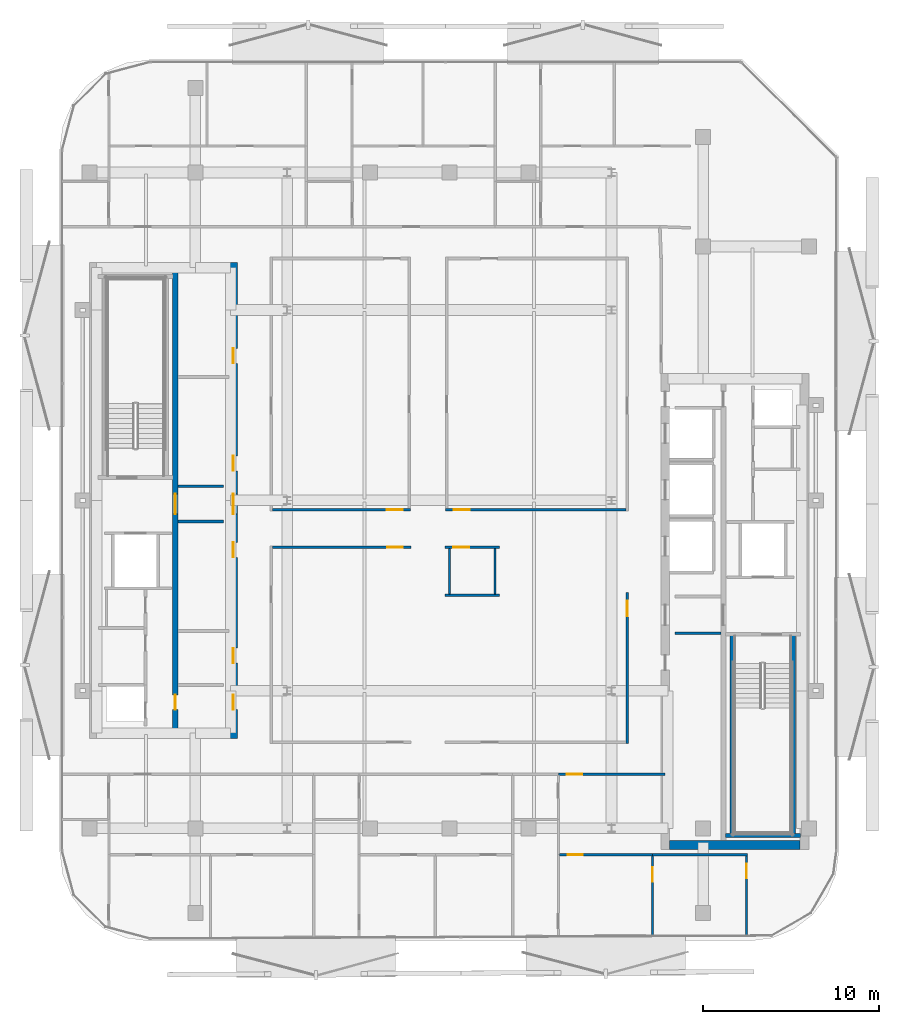
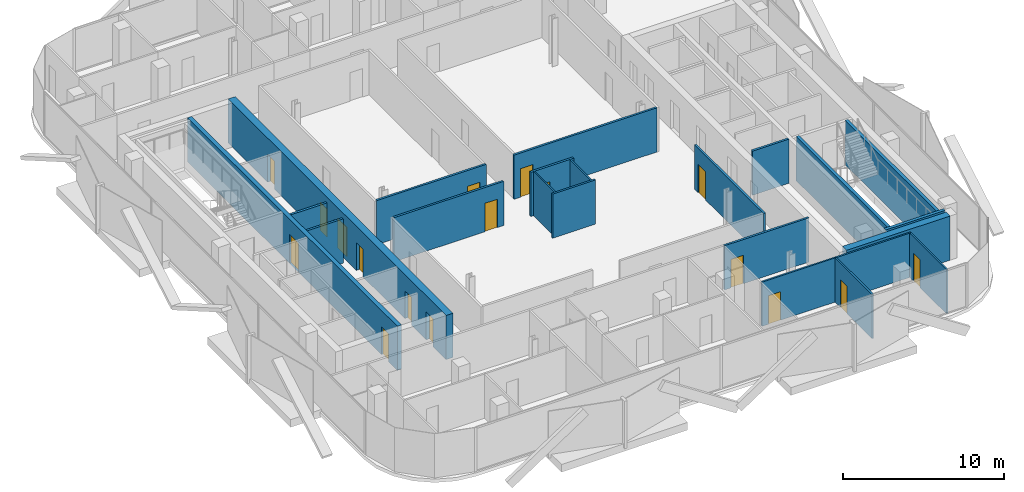
# One storey, part 4 of 15: 22 walls, 17 doors, 17 openings.
"""IFC4 building model written with IfcOpenShell, lengths in metres."""

from ifc_helpers import new_model, si_unit, direction, frame, frame_2d, origin, place, context, subcontext, project, spatial, rectangle, extrude, material, layer, layer_set, type_object, element, fill, save


model = new_model("IFC4")

# Units and contexts
model_context = context("Model", 3, precision=1e-05, world=origin(), true_north=direction((0.0, 1.0)))
body_context = subcontext(model_context, "Body", "Model", "MODEL_VIEW")
ifc_project = project(units=[si_unit("LENGTHUNIT", "METRE"), si_unit("AREAUNIT", "SQUARE_METRE"), si_unit("VOLUMEUNIT", "CUBIC_METRE"), si_unit("PLANEANGLEUNIT", "RADIAN"), si_unit("MASSUNIT", "GRAM", prefix="KILO")], contexts=[model_context])

# Site, building, storey
site_placement = place(None, origin())
site = spatial("IfcSite", under=ifc_project, at=site_placement, CompositionType="ELEMENT")
building_placement = place(site_placement, origin())
building = spatial("IfcBuilding", under=site, at=building_placement, Name="Khairoan Windgate Tower", CompositionType="ELEMENT")
storey_placement = place(building_placement, frame((0.0, 0.0, 244.0)))
storey = spatial("IfcBuildingStorey", under=building, at=storey_placement, Name="L57", CompositionType="ELEMENT", Elevation=244.0)

# Walls
ifc_material_1 = material(Name="Moisture-Resistant Gypsum Partition", Category="gypsum")
ifc_layer_1 = layer(ifc_material_1, 0.10009765625, Name="Moisture-Resistant Gypsum Partition")
ifc_layer_set_1 = layer_set([ifc_layer_1], Name="Moisture-Resistant Gypsum Partition")
wall_type_1 = type_object("IfcWallType", Name="Bathroom Wet-Area Partition Wall", PredefinedType="PARTITIONING", material=ifc_layer_set_1)
for number, where, z_axis, x_axis, name in (
    (1, (2.60009765625, -2.739990234375, 0.0), (0.0, 0.0, 1.0), (0.0, -1.0, 0.0), "L57 Wet Room Side Wall 100"),
    (2, (0.010009765625, -5.31005859375, 0.0), (0.0, 0.0, 1.0), (0.0, 1.0, 0.0), "L57 Wet Room Side Wall 101"),
):
    element("IfcWall", number, at=place(storey_placement, frame(where, z_axis=z_axis, x_axis=x_axis)), inside=storey, type_object=wall_type_1, Name=name, PredefinedType="PARTITIONING", context=body_context, shape_type="SweptSolid", body=[
        extrude(rectangle(XDim=2.570068359375, YDim=0.10009765625, at=frame_2d((1.28515625, 0.0))), origin(), (0.0, 0.0, 1.0), 3.340087890625),
    ])
ifc_material_2 = material(Name="Concrete C40/50", Category="concrete")
ifc_layer_2 = layer(ifc_material_2, 0.159912109375, Name="Concrete C40/50")
ifc_layer_set_2 = layer_set([ifc_layer_2], Name="Concrete C40/50")
wall_type_2 = type_object("IfcWallType", Name="Core and Hoistway Enclosure Wall", PredefinedType="STANDARD", material=ifc_layer_set_2)
for number, where, z_axis, x_axis, name in (
    (3, (-15.39990234375, 0.800048828125, 0.0), (0.0, 0.0, 1.0), (1.0, 0.0, 0.0), "L57 Core Shaft Wall SW-WV1-L57"),
    (4, (-15.39990234375, -1.199951171875, 0.0), (0.0, 0.0, 1.0), (1.0, 0.0, 0.0), "L57 Core Shaft Wall SW-WV2-L57"),
    (5, (12.800048828125, -7.5400390625, 0.0), (0.0, 0.0, 1.0), (1.0, 0.0, 0.0), "L57 Core Shaft Wall SW-EV2-L57"),
):
    element("IfcWall", number, at=place(storey_placement, frame(where, z_axis=z_axis, x_axis=x_axis)), inside=storey, type_object=wall_type_2, Name=name, PredefinedType="STANDARD", context=body_context, shape_type="SweptSolid", body=[
        extrude(rectangle(XDim=2.599853515625, YDim=0.159912109375, at=frame_2d((1.2998046875, 0.0))), origin(), (0.0, 0.0, 1.0), 3.340087890625),
    ])
ifc_material_3 = material(Name="Acoustic Fire-Rated Gypsum Partition", Category="gypsum")
ifc_layer_3 = layer(ifc_material_3, 0.139892578125, Name="Acoustic Fire-Rated Gypsum Partition")
ifc_layer_set_3 = layer_set([ifc_layer_3], Name="Acoustic Fire-Rated Gypsum Partition")
wall_type_3 = type_object("IfcWallType", Name="Inter-Tenancy Compartment Wall", PredefinedType="PARTITIONING", material=ifc_layer_set_3)
wall_1_placement = place(storey_placement, frame((-0.22998046875, -5.3798828125, 0.0), z_axis=(0.0, 0.0, 1.0), x_axis=(1.0, 0.0, 0.0)))
element("IfcWall", 6, at=wall_1_placement, inside=storey, type_object=wall_type_3, Name="L57 Interior Partition 097", PredefinedType="PARTITIONING", context=body_context, shape_type="SweptSolid", body=[
    extrude(rectangle(XDim=3.070068359375, YDim=0.139892578125, at=frame_2d((1.53515625, 0.0))), origin(), (0.0, 0.0, 1.0), 3.340087890625),
])

# Wall, opening, door
ifc_material_4 = material(Name="Gypsum Stud Partition", Category="gypsum")
ifc_layer_4 = layer(ifc_material_4, 0.1201171875, Name="Gypsum Stud Partition")
ifc_layer_set_4 = layer_set([ifc_layer_4], Name="Gypsum Stud Partition")
wall_type_4 = type_object("IfcWallType", Name="Internal Room Partition Wall", PredefinedType="PARTITIONING", material=ifc_layer_set_4)
wall_2_placement = place(storey_placement, frame((6.25, -20.10009765625, 0.0), z_axis=(0.0, 0.0, 1.0), x_axis=(1.0, 0.0, 0.0)))
wall_2 = element("IfcWall", 7, at=wall_2_placement, inside=storey, type_object=wall_type_4, Name="L57 Interior Partition 093", PredefinedType="PARTITIONING", context=body_context, shape_type="SweptSolid", body=[
    extrude(rectangle(XDim=5.27490234375, YDim=0.1201171875, at=frame_2d((2.637451171875, 0.0))), origin(), (0.0, 0.0, 1.0), 3.340087890625),
])
opening_1_placement = place(wall_2_placement, frame((0.4599609375, 0.0, 0.0)))
opening_1 = element("IfcOpeningElement", 8, at=opening_1_placement, cuts=wall_2, Name="Opening ID-RM", PredefinedType="OPENING", context=body_context, shape_type="SweptSolid", body=[
    extrude(rectangle(XDim=0.860107421875, YDim=2.14990234375, at=frame_2d((0.43017578125, 1.074951171875))), frame((0.0, 0.070068359375, 0.0), z_axis=(0.0, -1.0, 0.0), x_axis=(1.0, 0.0, 0.0)), (0.0, 0.0, 1.0), 0.14013671875),
])
ifc_material_5 = material(Name="Teak Veneer Timber Leaf", Category="wood")
door_type_1 = type_object("IfcDoorType", Name="Internal Bedroom and Office Door ID-RM 860x2150", OperationType="NOTDEFINED", PredefinedType="DOOR", material=ifc_material_5)
door_1_placement = place(opening_1_placement, origin())
door_1 = element("IfcDoor", 9, at=door_1_placement, inside=storey, type_object=door_type_1, Name="L57 L57-60-L57-62 Door", OperationType="SINGLE_SWING_LEFT", OverallHeight=2.14990234375, OverallWidth=0.860107421875, PredefinedType="DOOR", context=body_context, shape_type="SweptSolid", body=[
    extrude(rectangle(XDim=0.860107421875, YDim=2.14990234375, at=frame_2d((0.43017578125, 1.074951171875))), frame((0.0, 0.02490234375, 0.0), z_axis=(0.0, -1.0, 0.0), x_axis=(1.0, 0.0, 0.0)), (0.0, 0.0, 1.0), 0.050048828125),
])
fill(opening_1, door_1)

# Wall
wall_3_placement = place(storey_placement, frame((11.52490234375, -20.10009765625, 0.0), z_axis=(0.0, 0.0, 1.0), x_axis=(1.0, 0.0, 0.0)))
element("IfcWall", 10, at=wall_3_placement, inside=storey, type_object=wall_type_4, Name="L57 Interior Partition 094", PredefinedType="PARTITIONING", context=body_context, shape_type="SweptSolid", body=[
    extrude(rectangle(XDim=5.39501953125, YDim=0.1201171875, at=frame_2d((2.697509765625, 0.0))), origin(), (0.0, 0.0, 1.0), 3.340087890625),
])

# Wall, opening, door
wall_4_placement = place(storey_placement, frame((16.860107421875, -24.691650390625, 0.0), z_axis=(0.0, 0.0, 1.0), x_axis=(0.0, 1.0, 0.0)))
wall_4 = element("IfcWall", 11, at=wall_4_placement, inside=storey, type_object=wall_type_4, Name="L57 Interior Partition 095", PredefinedType="PARTITIONING", context=body_context, shape_type="SweptSolid", body=[
    extrude(rectangle(XDim=4.53173828125, YDim=0.1201171875, at=frame_2d((2.265869140625, 0.0))), origin(), (0.0, 0.0, 1.0), 3.340087890625),
])
opening_2_placement = place(wall_4_placement, frame((3.271728515625, 0.0, 0.0)))
opening_2 = element("IfcOpeningElement", 12, at=opening_2_placement, cuts=wall_4, Name="Opening ID-BTH", PredefinedType="OPENING", context=body_context, shape_type="SweptSolid", body=[
    extrude(rectangle(XDim=0.800048828125, YDim=2.10009765625, at=frame_2d((0.39990234375, 1.050048828125))), frame((0.0, 0.070068359375, 0.0), z_axis=(0.0, -1.0, 0.0), x_axis=(1.0, 0.0, 0.0)), (0.0, 0.0, 1.0), 0.14013671875),
])
ifc_material_6 = material(Name="Teak Veneer Timber Leaf", Category="wood")
door_type_2 = type_object("IfcDoorType", Name="Internal Bathroom Door ID-BTH 800x2100", OperationType="NOTDEFINED", PredefinedType="DOOR", material=ifc_material_6)
door_2_placement = place(opening_2_placement, origin())
door_2 = element("IfcDoor", 13, at=door_2_placement, inside=storey, type_object=door_type_2, Name="L57 L57-61-L57-63 Door", OperationType="SINGLE_SWING_RIGHT", OverallHeight=2.10009765625, OverallWidth=0.800048828125, PredefinedType="DOOR", context=body_context, shape_type="SweptSolid", body=[
    extrude(rectangle(XDim=0.800048828125, YDim=2.10009765625, at=frame_2d((0.39990234375, 1.050048828125))), frame((0.0, 0.02490234375, 0.0), z_axis=(0.0, -1.0, 0.0), x_axis=(1.0, 0.0, 0.0)), (0.0, 0.0, 1.0), 0.050048828125),
])
fill(opening_2, door_2)

wall_5_placement = place(storey_placement, frame((11.52490234375, -24.71728515625, 0.0), z_axis=(0.0, 0.0, 1.0), x_axis=(0.0, 1.0, 0.0)))
wall_5 = element("IfcWall", 14, at=wall_5_placement, inside=storey, type_object=wall_type_4, Name="L57 Interior Partition 096", PredefinedType="PARTITIONING", context=body_context, shape_type="SweptSolid", body=[
    extrude(rectangle(XDim=4.557373046875, YDim=0.1201171875, at=frame_2d((2.27880859375, 0.0))), origin(), (0.0, 0.0, 1.0), 3.340087890625),
])
opening_3_placement = place(wall_5_placement, frame((3.0947265625, 0.0, 0.0)))
opening_3 = element("IfcOpeningElement", 15, at=opening_3_placement, cuts=wall_5, Name="Opening ID-BTH", PredefinedType="OPENING", context=body_context, shape_type="SweptSolid", body=[
    extrude(rectangle(XDim=0.800048828125, YDim=2.10009765625, at=frame_2d((0.39990234375, 1.050048828125))), frame((0.0, 0.070068359375, 0.0), z_axis=(0.0, -1.0, 0.0), x_axis=(1.0, 0.0, 0.0)), (0.0, 0.0, 1.0), 0.14013671875),
])
door_3_placement = place(opening_3_placement, origin())
door_3 = element("IfcDoor", 16, at=door_3_placement, inside=storey, type_object=door_type_2, Name="L57 L57-62-L57-63 Door", OperationType="SINGLE_SWING_LEFT", OverallHeight=2.10009765625, OverallWidth=0.800048828125, PredefinedType="DOOR", context=body_context, shape_type="SweptSolid", body=[
    extrude(rectangle(XDim=0.800048828125, YDim=2.10009765625, at=frame_2d((0.39990234375, 1.050048828125))), frame((0.0, 0.02490234375, 0.0), z_axis=(0.0, -1.0, 0.0), x_axis=(1.0, 0.0, 0.0)), (0.0, 0.0, 1.0), 0.050048828125),
])
fill(opening_3, door_3)

ifc_material_7 = material(Name="Acoustic Fire-Rated Gypsum Partition", Category="gypsum")
ifc_layer_5 = layer(ifc_material_7, 0.14990234375, Name="Acoustic Fire-Rated Gypsum Partition")
ifc_layer_set_5 = layer_set([ifc_layer_5], Name="Acoustic Fire-Rated Gypsum Partition")
wall_type_5 = type_object("IfcWallType", Name="Rated Corridor Partition Wall", PredefinedType="PARTITIONING", material=ifc_layer_set_5)
wall_6_placement = place(storey_placement, frame((10.10009765625, -13.794921875, 0.0), z_axis=(0.0, 0.0, 1.0), x_axis=(0.0, 1.0, 0.0)))
wall_6 = element("IfcWall", 17, at=wall_6_placement, inside=storey, type_object=wall_type_5, Name="L57 Interior Partition 017", PredefinedType="PARTITIONING", context=body_context, shape_type="SweptSolid", body=[
    extrude(rectangle(XDim=8.574951171875, YDim=0.14990234375, at=frame_2d((4.28759765625, 0.0))), origin(), (0.0, 0.0, 1.0), 3.340087890625),
])
opening_4_placement = place(wall_6_placement, frame((7.215087890625, 0.0, 0.0)))
opening_4 = element("IfcOpeningElement", 18, at=opening_4_placement, cuts=wall_6, Name="Opening FD-ENT", PredefinedType="OPENING", context=body_context, shape_type="SweptSolid", body=[
    extrude(rectangle(XDim=0.89990234375, YDim=2.14990234375, at=frame_2d((0.449951171875, 1.074951171875))), frame((0.0, 0.0849609375, 0.0), z_axis=(0.0, -1.0, 0.0), x_axis=(1.0, 0.0, 0.0)), (0.0, 0.0, 1.0), 0.169921875),
])
ifc_material_8 = material(Name="Timber Fire-Rated Core", Category="wood")
door_type_3 = type_object("IfcDoorType", Name="Unit and Office Fire Entrance Door FD-ENT 900x2150", OperationType="NOTDEFINED", PredefinedType="DOOR", material=ifc_material_8)
door_4_placement = place(opening_4_placement, origin())
door_4 = element("IfcDoor", 19, at=door_4_placement, inside=storey, type_object=door_type_3, Name="L57 L57-28-L57-69 Door", OperationType="SINGLE_SWING_LEFT", OverallHeight=2.14990234375, OverallWidth=0.89990234375, PredefinedType="DOOR", context=body_context, shape_type="SweptSolid", body=[
    extrude(rectangle(XDim=0.89990234375, YDim=2.14990234375, at=frame_2d((0.449951171875, 1.074951171875))), frame((0.0, 0.02490234375, 0.0), z_axis=(0.0, -1.0, 0.0), x_axis=(1.0, 0.0, 0.0)), (0.0, 0.0, 1.0), 0.050048828125),
])
fill(opening_4, door_4)

wall_7_placement = place(storey_placement, frame((-10.02490234375, -0.534912109375, 0.0), z_axis=(0.0, 0.0, 1.0), x_axis=(1.0, 0.0, 0.0)))
wall_7 = element("IfcWall", 20, at=wall_7_placement, inside=storey, type_object=wall_type_5, Name="L57 Interior Partition 018", PredefinedType="PARTITIONING", context=body_context, shape_type="SweptSolid", body=[
    extrude(rectangle(XDim=7.8349609375, YDim=0.14990234375, at=frame_2d((3.91748046875, 0.0))), origin(), (0.0, 0.0, 1.0), 3.340087890625),
])
opening_5_placement = place(wall_7_placement, frame((6.47509765625, 0.0, 0.0)))
opening_5 = element("IfcOpeningElement", 21, at=opening_5_placement, cuts=wall_7, Name="Opening FD-ENT", PredefinedType="OPENING", context=body_context, shape_type="SweptSolid", body=[
    extrude(rectangle(XDim=0.89990234375, YDim=2.14990234375, at=frame_2d((0.449951171875, 1.074951171875))), frame((0.0, 0.0849609375, 0.0), z_axis=(0.0, -1.0, 0.0), x_axis=(1.0, 0.0, 0.0)), (0.0, 0.0, 1.0), 0.169921875),
])
door_5_placement = place(opening_5_placement, origin())
door_5 = element("IfcDoor", 22, at=door_5_placement, inside=storey, type_object=door_type_3, Name="L57 L57-29-L57-65 Door", OperationType="SINGLE_SWING_RIGHT", OverallHeight=2.14990234375, OverallWidth=0.89990234375, PredefinedType="DOOR", context=body_context, shape_type="SweptSolid", body=[
    extrude(rectangle(XDim=0.89990234375, YDim=2.14990234375, at=frame_2d((0.449951171875, 1.074951171875))), frame((0.0, 0.02490234375, 0.0), z_axis=(0.0, -1.0, 0.0), x_axis=(1.0, 0.0, 0.0)), (0.0, 0.0, 1.0), 0.050048828125),
])
fill(opening_5, door_5)

wall_8_placement = place(storey_placement, frame((-10.02490234375, -2.6650390625, 0.0), z_axis=(0.0, 0.0, 1.0), x_axis=(1.0, 0.0, 0.0)))
wall_8 = element("IfcWall", 23, at=wall_8_placement, inside=storey, type_object=wall_type_5, Name="L57 Interior Partition 019", PredefinedType="PARTITIONING", context=body_context, shape_type="SweptSolid", body=[
    extrude(rectangle(XDim=7.85498046875, YDim=0.14990234375, at=frame_2d((3.927490234375, 0.0))), origin(), (0.0, 0.0, 1.0), 3.340087890625),
])
opening_6_placement = place(wall_8_placement, frame((6.4951171875, 0.0, 0.0)))
opening_6 = element("IfcOpeningElement", 24, at=opening_6_placement, cuts=wall_8, Name="Opening FD-ENT", PredefinedType="OPENING", context=body_context, shape_type="SweptSolid", body=[
    extrude(rectangle(XDim=0.89990234375, YDim=2.14990234375, at=frame_2d((0.449951171875, 1.074951171875))), frame((0.0, 0.0849609375, 0.0), z_axis=(0.0, -1.0, 0.0), x_axis=(1.0, 0.0, 0.0)), (0.0, 0.0, 1.0), 0.169921875),
])
door_6_placement = place(opening_6_placement, origin())
door_6 = element("IfcDoor", 25, at=door_6_placement, inside=storey, type_object=door_type_3, Name="L57 L57-29-L57-66 Door", OperationType="SINGLE_SWING_LEFT", OverallHeight=2.14990234375, OverallWidth=0.89990234375, PredefinedType="DOOR", context=body_context, shape_type="SweptSolid", body=[
    extrude(rectangle(XDim=0.89990234375, YDim=2.14990234375, at=frame_2d((0.449951171875, 1.074951171875))), frame((0.0, 0.02490234375, 0.0), z_axis=(0.0, -1.0, 0.0), x_axis=(1.0, 0.0, 0.0)), (0.0, 0.0, 1.0), 0.050048828125),
])
fill(opening_6, door_6)

wall_9_placement = place(storey_placement, frame((-0.2099609375, -0.534912109375, 0.0), z_axis=(0.0, 0.0, 1.0), x_axis=(1.0, 0.0, 0.0)))
wall_9 = element("IfcWall", 26, at=wall_9_placement, inside=storey, type_object=wall_type_5, Name="L57 Interior Partition 020", PredefinedType="PARTITIONING", context=body_context, shape_type="SweptSolid", body=[
    extrude(rectangle(XDim=10.23486328125, YDim=0.14990234375, at=frame_2d((5.117431640625, 0.0))), origin(), (0.0, 0.0, 1.0), 3.340087890625),
])
opening_7_placement = place(wall_9_placement, frame((0.4599609375, 0.0, 0.0)))
opening_7 = element("IfcOpeningElement", 27, at=opening_7_placement, cuts=wall_9, Name="Opening FD-ENT", PredefinedType="OPENING", context=body_context, shape_type="SweptSolid", body=[
    extrude(rectangle(XDim=0.89990234375, YDim=2.14990234375, at=frame_2d((0.449951171875, 1.074951171875))), frame((0.0, 0.0849609375, 0.0), z_axis=(0.0, -1.0, 0.0), x_axis=(1.0, 0.0, 0.0)), (0.0, 0.0, 1.0), 0.169921875),
])
door_7_placement = place(opening_7_placement, origin())
door_7 = element("IfcDoor", 28, at=door_7_placement, inside=storey, type_object=door_type_3, Name="L57 L57-29-L57-67 Door", OperationType="SINGLE_SWING_RIGHT", OverallHeight=2.14990234375, OverallWidth=0.89990234375, PredefinedType="DOOR", context=body_context, shape_type="SweptSolid", body=[
    extrude(rectangle(XDim=0.89990234375, YDim=2.14990234375, at=frame_2d((0.449951171875, 1.074951171875))), frame((0.0, 0.02490234375, 0.0), z_axis=(0.0, -1.0, 0.0), x_axis=(1.0, 0.0, 0.0)), (0.0, 0.0, 1.0), 0.050048828125),
])
fill(opening_7, door_7)

wall_10_placement = place(storey_placement, frame((-0.22998046875, -2.6650390625, 0.0), z_axis=(0.0, 0.0, 1.0), x_axis=(1.0, 0.0, 0.0)))
wall_10 = element("IfcWall", 29, at=wall_10_placement, inside=storey, type_object=wall_type_5, Name="L57 Interior Partition 021", PredefinedType="PARTITIONING", context=body_context, shape_type="SweptSolid", body=[
    extrude(rectangle(XDim=3.070068359375, YDim=0.14990234375, at=frame_2d((1.53515625, 0.0))), origin(), (0.0, 0.0, 1.0), 3.340087890625),
])
opening_8_placement = place(wall_10_placement, frame((0.4599609375, 0.0, 0.0)))
opening_8 = element("IfcOpeningElement", 30, at=opening_8_placement, cuts=wall_10, Name="Opening FD-ENT", PredefinedType="OPENING", context=body_context, shape_type="SweptSolid", body=[
    extrude(rectangle(XDim=0.89990234375, YDim=2.14990234375, at=frame_2d((0.449951171875, 1.074951171875))), frame((0.0, 0.0849609375, 0.0), z_axis=(0.0, -1.0, 0.0), x_axis=(1.0, 0.0, 0.0)), (0.0, 0.0, 1.0), 0.169921875),
])
door_8_placement = place(opening_8_placement, origin())
door_8 = element("IfcDoor", 31, at=door_8_placement, inside=storey, type_object=door_type_3, Name="L57 L57-29-L57-68 Door", OperationType="SINGLE_SWING_LEFT", OverallHeight=2.14990234375, OverallWidth=0.89990234375, PredefinedType="DOOR", context=body_context, shape_type="SweptSolid", body=[
    extrude(rectangle(XDim=0.89990234375, YDim=2.14990234375, at=frame_2d((0.449951171875, 1.074951171875))), frame((0.0, 0.02490234375, 0.0), z_axis=(0.0, -1.0, 0.0), x_axis=(1.0, 0.0, 0.0)), (0.0, 0.0, 1.0), 0.050048828125),
])
fill(opening_8, door_8)

wall_11_placement = place(storey_placement, frame((6.18994140625, -15.52490234375, 0.0), z_axis=(0.0, 0.0, 1.0), x_axis=(1.0, 0.0, 0.0)))
wall_11 = element("IfcWall", 32, at=wall_11_placement, inside=storey, type_object=wall_type_5, Name="L57 Interior Partition 038", PredefinedType="PARTITIONING", context=body_context, shape_type="SweptSolid", body=[
    extrude(rectangle(XDim=6.050048828125, YDim=0.14990234375, at=frame_2d((3.02490234375, 0.0))), origin(), (0.0, 0.0, 1.0), 3.340087890625),
])
opening_9_placement = place(wall_11_placement, frame((0.4599609375, 0.0, 0.0)))
opening_9 = element("IfcOpeningElement", 33, at=opening_9_placement, cuts=wall_11, Name="Opening FD-ENT", PredefinedType="OPENING", context=body_context, shape_type="SweptSolid", body=[
    extrude(rectangle(XDim=0.89990234375, YDim=2.14990234375, at=frame_2d((0.449951171875, 1.074951171875))), frame((0.0, 0.0849609375, 0.0), z_axis=(0.0, -1.0, 0.0), x_axis=(1.0, 0.0, 0.0)), (0.0, 0.0, 1.0), 0.169921875),
])
door_9_placement = place(opening_9_placement, origin())
door_9 = element("IfcDoor", 34, at=door_9_placement, inside=storey, type_object=door_type_3, Name="L57 L57-32-L57-60 Door", OperationType="SINGLE_SWING_RIGHT", OverallHeight=2.14990234375, OverallWidth=0.89990234375, PredefinedType="DOOR", context=body_context, shape_type="SweptSolid", body=[
    extrude(rectangle(XDim=0.89990234375, YDim=2.14990234375, at=frame_2d((0.449951171875, 1.074951171875))), frame((0.0, 0.02490234375, 0.0), z_axis=(0.0, -1.0, 0.0), x_axis=(1.0, 0.0, 0.0)), (0.0, 0.0, 1.0), 0.050048828125),
])
fill(opening_9, door_9)

# Wall
ifc_material_9 = material(Name="Concrete C50/60", Category="concrete")
ifc_layer_6 = layer(ifc_material_9, 0.5, Name="Concrete C50/60")
ifc_layer_set_6 = layer_set([ifc_layer_6], Name="Concrete C50/60")
wall_type_6 = type_object("IfcWallType", Name="Shear Wall CW-E3 500mm", PredefinedType="SHEAR", material=ifc_layer_set_6)
wall_12_placement = place(storey_placement, frame((12.5, -19.550048828125, 0.0), z_axis=(0.0, 0.0, 1.0), x_axis=(1.0, 0.0, 0.0)))
element("IfcWall", 35, at=wall_12_placement, inside=storey, type_object=wall_type_6, Name="E Core South Shear Wall L57", PredefinedType="SHEAR", context=body_context, shape_type="SweptSolid", body=[
    extrude(rectangle(XDim=7.39990234375, YDim=0.5, at=frame_2d((3.699951171875, 0.0))), origin(), (0.0, 0.0, 1.0), 3.340087890625),
])

# Wall, openings, doors
ifc_material_10 = material(Name="Concrete C50/60", Category="concrete")
ifc_layer_7 = layer(ifc_material_10, 0.5, Name="Concrete C50/60")
ifc_layer_set_7 = layer_set([ifc_layer_7], Name="Concrete C50/60")
wall_type_7 = type_object("IfcWallType", Name="Shear Wall CW-W3 500mm", PredefinedType="SHEAR", material=ifc_layer_set_7)
wall_13_placement = place(storey_placement, frame((-12.25, -13.5, 0.0), z_axis=(0.0, 0.0, 1.0), x_axis=(0.0, 1.0, 0.0)))
wall_13 = element("IfcWall", 36, at=wall_13_placement, inside=storey, type_object=wall_type_7, Name="W Core East Shear Wall L57", PredefinedType="SHEAR", context=body_context, shape_type="SweptSolid", body=[
    extrude(rectangle(XDim=27.0, YDim=0.5, at=frame_2d((13.5, 0.0))), origin(), (0.0, 0.0, 1.0), 3.340087890625),
])
opening_10_placement = place(wall_13_placement, frame((15.175048828125, 0.0, 0.0)))
opening_10 = element("IfcOpeningElement", 37, at=opening_10_placement, cuts=wall_13, Name="Opening FD-SRV", PredefinedType="OPENING", context=body_context, shape_type="SweptSolid", body=[
    extrude(rectangle(XDim=0.85009765625, YDim=2.10009765625, at=frame_2d((0.425048828125, 1.050048828125))), frame((0.0, 0.260009765625, 0.0), z_axis=(0.0, -1.0, 0.0), x_axis=(1.0, 0.0, 0.0)), (0.0, 0.0, 1.0), 0.52001953125),
])
opening_11_placement = place(wall_13_placement, frame((21.27490234375, 0.0, 0.0)))
opening_11 = element("IfcOpeningElement", 38, at=opening_11_placement, cuts=wall_13, Name="Opening FD-SRV", PredefinedType="OPENING", context=body_context, shape_type="SweptSolid", body=[
    extrude(rectangle(XDim=0.85009765625, YDim=2.10009765625, at=frame_2d((0.425048828125, 1.050048828125))), frame((0.0, 0.260009765625, 0.0), z_axis=(0.0, -1.0, 0.0), x_axis=(1.0, 0.0, 0.0)), (0.0, 0.0, 1.0), 0.52001953125),
])
opening_12_placement = place(wall_13_placement, frame((4.27490234375, 0.0, 0.0)))
opening_12 = element("IfcOpeningElement", 39, at=opening_12_placement, cuts=wall_13, Name="Opening FD-SRV", PredefinedType="OPENING", context=body_context, shape_type="SweptSolid", body=[
    extrude(rectangle(XDim=0.85009765625, YDim=2.10009765625, at=frame_2d((0.425048828125, 1.050048828125))), frame((0.0, 0.260009765625, 0.0), z_axis=(0.0, -1.0, 0.0), x_axis=(1.0, 0.0, 0.0)), (0.0, 0.0, 1.0), 0.52001953125),
])
opening_13_placement = place(wall_13_placement, frame((10.27490234375, 0.0, 0.0)))
opening_13 = element("IfcOpeningElement", 40, at=opening_13_placement, cuts=wall_13, Name="Opening FD-SRV", PredefinedType="OPENING", context=body_context, shape_type="SweptSolid", body=[
    extrude(rectangle(XDim=0.85009765625, YDim=2.10009765625, at=frame_2d((0.425048828125, 1.050048828125))), frame((0.0, 0.260009765625, 0.0), z_axis=(0.0, -1.0, 0.0), x_axis=(1.0, 0.0, 0.0)), (0.0, 0.0, 1.0), 0.52001953125),
])
opening_14_placement = place(wall_13_placement, frame((12.72509765625, 0.0, 0.0)))
opening_14 = element("IfcOpeningElement", 41, at=opening_14_placement, cuts=wall_13, Name="Opening FD-FFL", PredefinedType="OPENING", context=body_context, shape_type="SweptSolid", body=[
    extrude(rectangle(XDim=1.14990234375, YDim=2.199951171875, at=frame_2d((0.574951171875, 1.10009765625))), frame((0.0, 0.260009765625, 0.0), z_axis=(0.0, -1.0, 0.0), x_axis=(1.0, 0.0, 0.0)), (0.0, 0.0, 1.0), 0.52001953125),
])
opening_15_placement = place(wall_13_placement, frame((1.625, 0.0, 0.0)))
opening_15 = element("IfcOpeningElement", 42, at=opening_15_placement, cuts=wall_13, Name="Opening FD-SRV", PredefinedType="OPENING", context=body_context, shape_type="SweptSolid", body=[
    extrude(rectangle(XDim=0.85009765625, YDim=2.10009765625, at=frame_2d((0.425048828125, 1.050048828125))), frame((0.0, 0.260009765625, 0.0), z_axis=(0.0, -1.0, 0.0), x_axis=(1.0, 0.0, 0.0)), (0.0, 0.0, 1.0), 0.52001953125),
])
ifc_material_11 = material(Name="Steel S355", Category="steel")
door_type_4 = type_object("IfcDoorType", Name="Core Service and Riser Fire Door FD-SRV 850x2100", OperationType="NOTDEFINED", PredefinedType="DOOR", material=ifc_material_11)
door_10_placement = place(opening_10_placement, origin())
door_10 = element("IfcDoor", 43, at=door_10_placement, inside=storey, type_object=door_type_4, Name="L57 Upper Core Room Door B1-1", OperationType="SINGLE_SWING_RIGHT", OverallHeight=2.10009765625, OverallWidth=0.85009765625, PredefinedType="DOOR", context=body_context, shape_type="SweptSolid", body=[
    extrude(rectangle(XDim=0.85009765625, YDim=2.10009765625, at=frame_2d((0.425048828125, 1.050048828125))), frame((0.0, 0.02490234375, 0.0), z_axis=(0.0, -1.0, 0.0), x_axis=(1.0, 0.0, 0.0)), (0.0, 0.0, 1.0), 0.050048828125),
])
fill(opening_10, door_10)
door_11_placement = place(opening_11_placement, origin())
door_11 = element("IfcDoor", 44, at=door_11_placement, inside=storey, type_object=door_type_4, Name="L57 Upper Core Room Door B1-2", OperationType="SINGLE_SWING_LEFT", OverallHeight=2.10009765625, OverallWidth=0.85009765625, PredefinedType="DOOR", context=body_context, shape_type="SweptSolid", body=[
    extrude(rectangle(XDim=0.85009765625, YDim=2.10009765625, at=frame_2d((0.425048828125, 1.050048828125))), frame((0.0, 0.02490234375, 0.0), z_axis=(0.0, -1.0, 0.0), x_axis=(1.0, 0.0, 0.0)), (0.0, 0.0, 1.0), 0.050048828125),
])
fill(opening_11, door_11)
door_12_placement = place(opening_12_placement, origin())
door_12 = element("IfcDoor", 45, at=door_12_placement, inside=storey, type_object=door_type_4, Name="L57 Upper Core Room Door B2-1", OperationType="SINGLE_SWING_RIGHT", OverallHeight=2.10009765625, OverallWidth=0.85009765625, PredefinedType="DOOR", context=body_context, shape_type="SweptSolid", body=[
    extrude(rectangle(XDim=0.85009765625, YDim=2.10009765625, at=frame_2d((0.425048828125, 1.050048828125))), frame((0.0, 0.02490234375, 0.0), z_axis=(0.0, -1.0, 0.0), x_axis=(1.0, 0.0, 0.0)), (0.0, 0.0, 1.0), 0.050048828125),
])
fill(opening_12, door_12)
door_13_placement = place(opening_13_placement, origin())
door_13 = element("IfcDoor", 46, at=door_13_placement, inside=storey, type_object=door_type_4, Name="L57 Upper Core Room Door B2-2", OperationType="SINGLE_SWING_LEFT", OverallHeight=2.10009765625, OverallWidth=0.85009765625, PredefinedType="DOOR", context=body_context, shape_type="SweptSolid", body=[
    extrude(rectangle(XDim=0.85009765625, YDim=2.10009765625, at=frame_2d((0.425048828125, 1.050048828125))), frame((0.0, 0.02490234375, 0.0), z_axis=(0.0, -1.0, 0.0), x_axis=(1.0, 0.0, 0.0)), (0.0, 0.0, 1.0), 0.050048828125),
])
fill(opening_13, door_13)
door_14_placement = place(opening_15_placement, origin())
door_14 = element("IfcDoor", 47, at=door_14_placement, inside=storey, type_object=door_type_4, Name="L57 West Core Service Vestibule Outer Door", OperationType="SINGLE_SWING_LEFT", OverallHeight=2.10009765625, OverallWidth=0.85009765625, PredefinedType="DOOR", context=body_context, shape_type="SweptSolid", body=[
    extrude(rectangle(XDim=0.85009765625, YDim=2.10009765625, at=frame_2d((0.425048828125, 1.050048828125))), frame((0.0, 0.02490234375, 0.0), z_axis=(0.0, -1.0, 0.0), x_axis=(1.0, 0.0, 0.0)), (0.0, 0.0, 1.0), 0.050048828125),
])
fill(opening_15, door_14)
ifc_material_12 = material(Name="Steel S355", Category="steel")
door_type_5 = type_object("IfcDoorType", Name="Firefighting Lobby Fire Door FD-FFL 1150x2200", OperationType="NOTDEFINED", PredefinedType="DOOR", material=ifc_material_12)
door_15_placement = place(opening_14_placement, origin())
door_15 = element("IfcDoor", 48, at=door_15_placement, inside=storey, type_object=door_type_5, Name="L57 West Core Vestibule Entry Door", OperationType="SINGLE_SWING_LEFT", OverallHeight=2.199951171875, OverallWidth=1.14990234375, PredefinedType="DOOR", context=body_context, shape_type="SweptSolid", body=[
    extrude(rectangle(XDim=1.14990234375, YDim=2.199951171875, at=frame_2d((0.574951171875, 1.10009765625))), frame((0.0, 0.02490234375, 0.0), z_axis=(0.0, -1.0, 0.0), x_axis=(1.0, 0.0, 0.0)), (0.0, 0.0, 1.0), 0.050048828125),
])
fill(opening_14, door_15)

ifc_material_13 = material(Name="Concrete C50/60", Category="concrete")
ifc_layer_8 = layer(ifc_material_13, 0.300048828125, Name="Concrete C50/60")
ifc_layer_set_8 = layer_set([ifc_layer_8], Name="Concrete C50/60")
wall_type_8 = type_object("IfcWallType", Name="Shear Wall SW-2 300mm", PredefinedType="SHEAR", material=ifc_layer_set_8)
wall_14_placement = place(storey_placement, frame((-15.550048828125, -13.0, 0.0), z_axis=(0.0, 0.0, 1.0), x_axis=(0.0, 1.0, 0.0)))
wall_14 = element("IfcWall", 49, at=wall_14_placement, inside=storey, type_object=wall_type_8, Name="W Core Spine Shear Wall L57", PredefinedType="SHEAR", context=body_context, shape_type="SweptSolid", body=[
    extrude(rectangle(XDim=26.0, YDim=0.300048828125, at=frame_2d((13.0, 0.0))), origin(), (0.0, 0.0, 1.0), 3.340087890625),
])
opening_16_placement = place(wall_14_placement, frame((12.22509765625, 0.0, 0.0)))
opening_16 = element("IfcOpeningElement", 50, at=opening_16_placement, cuts=wall_14, Name="Opening FD-FFL", PredefinedType="OPENING", context=body_context, shape_type="SweptSolid", body=[
    extrude(rectangle(XDim=1.14990234375, YDim=2.199951171875, at=frame_2d((0.574951171875, 1.10009765625))), frame((0.0, 0.159912109375, 0.0), z_axis=(0.0, -1.0, 0.0), x_axis=(1.0, 0.0, 0.0)), (0.0, 0.0, 1.0), 0.320068359375),
])
opening_17_placement = place(wall_14_placement, frame((1.125, 0.0, 0.0)))
opening_17 = element("IfcOpeningElement", 51, at=opening_17_placement, cuts=wall_14, Name="Opening FD-SRV", PredefinedType="OPENING", context=body_context, shape_type="SweptSolid", body=[
    extrude(rectangle(XDim=0.85009765625, YDim=2.10009765625, at=frame_2d((0.425048828125, 1.050048828125))), frame((0.0, 0.159912109375, 0.0), z_axis=(0.0, -1.0, 0.0), x_axis=(1.0, 0.0, 0.0)), (0.0, 0.0, 1.0), 0.320068359375),
])
door_16_placement = place(opening_17_placement, origin())
door_16 = element("IfcDoor", 52, at=door_16_placement, inside=storey, type_object=door_type_4, Name="L57 West Core Service Passage Inner Door", OperationType="SINGLE_SWING_RIGHT", OverallHeight=2.10009765625, OverallWidth=0.85009765625, PredefinedType="DOOR", context=body_context, shape_type="SweptSolid", body=[
    extrude(rectangle(XDim=0.85009765625, YDim=2.10009765625, at=frame_2d((0.425048828125, 1.050048828125))), frame((0.0, 0.02490234375, 0.0), z_axis=(0.0, -1.0, 0.0), x_axis=(1.0, 0.0, 0.0)), (0.0, 0.0, 1.0), 0.050048828125),
])
fill(opening_17, door_16)
door_17_placement = place(opening_16_placement, origin())
door_17 = element("IfcDoor", 53, at=door_17_placement, inside=storey, type_object=door_type_5, Name="L57 West Firefighting Lobby Fire Door", OperationType="SINGLE_SWING_RIGHT", OverallHeight=2.199951171875, OverallWidth=1.14990234375, PredefinedType="DOOR", context=body_context, shape_type="SweptSolid", body=[
    extrude(rectangle(XDim=1.14990234375, YDim=2.199951171875, at=frame_2d((0.574951171875, 1.10009765625))), frame((0.0, 0.02490234375, 0.0), z_axis=(0.0, -1.0, 0.0), x_axis=(1.0, 0.0, 0.0)), (0.0, 0.0, 1.0), 0.050048828125),
])
fill(opening_16, door_17)

# Walls
ifc_material_14 = material(Name="Concrete C50/60", Category="concrete")
ifc_layer_9 = layer(ifc_material_14, 0.219970703125, Name="Concrete C50/60")
ifc_layer_set_9 = layer_set([ifc_layer_9], Name="Concrete C50/60")
wall_type_9 = type_object("IfcWallType", Name="Shear Wall SW-ST 220mm", PredefinedType="SHEAR", material=ifc_layer_set_9)
for number, where, z_axis, x_axis, name in (
    (54, (16.0400390625, -19.010009765625, 0.0), (0.0, 0.0, 1.0), (0.0, 1.0, 0.0), "L57 Stair ST1 West Bearing Wall"),
    (55, (19.530029296875, -19.010009765625, 0.0), (0.0, 0.0, 1.0), (0.0, 1.0, 0.0), "L57 Stair ST1 East Bearing Wall"),
):
    element("IfcWall", number, at=place(storey_placement, frame(where, z_axis=z_axis, x_axis=x_axis)), inside=storey, type_object=wall_type_9, Name=name, PredefinedType="SHEAR", context=body_context, shape_type="SweptSolid", body=[
        extrude(rectangle(XDim=11.419921875, YDim=0.219970703125, at=frame_2d((5.7099609375, 0.0))), origin(), (0.0, 0.0, 1.0), 3.340087890625),
    ])
wall_15_placement = place(storey_placement, frame((15.679931640625, -19.010009765625, 0.0), z_axis=(0.0, 0.0, 1.0), x_axis=(1.0, 0.0, 0.0)))
element("IfcWall", 56, at=wall_15_placement, inside=storey, type_object=wall_type_9, Name="L57 Stair ST1 South Bearing Wall", PredefinedType="SHEAR", context=body_context, shape_type="SweptSolid", body=[
    extrude(rectangle(XDim=4.239990234375, YDim=0.219970703125, at=frame_2d((2.1201171875, 0.0))), origin(), (0.0, 0.0, 1.0), 3.340087890625),
])

save(model, "model.ifc")
